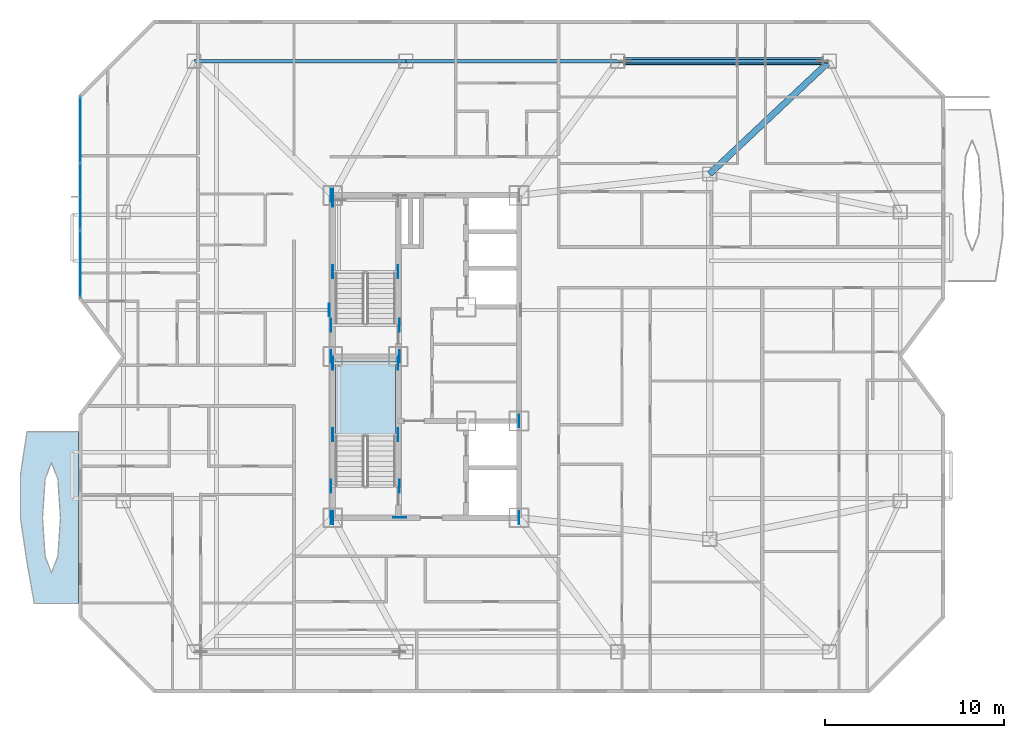
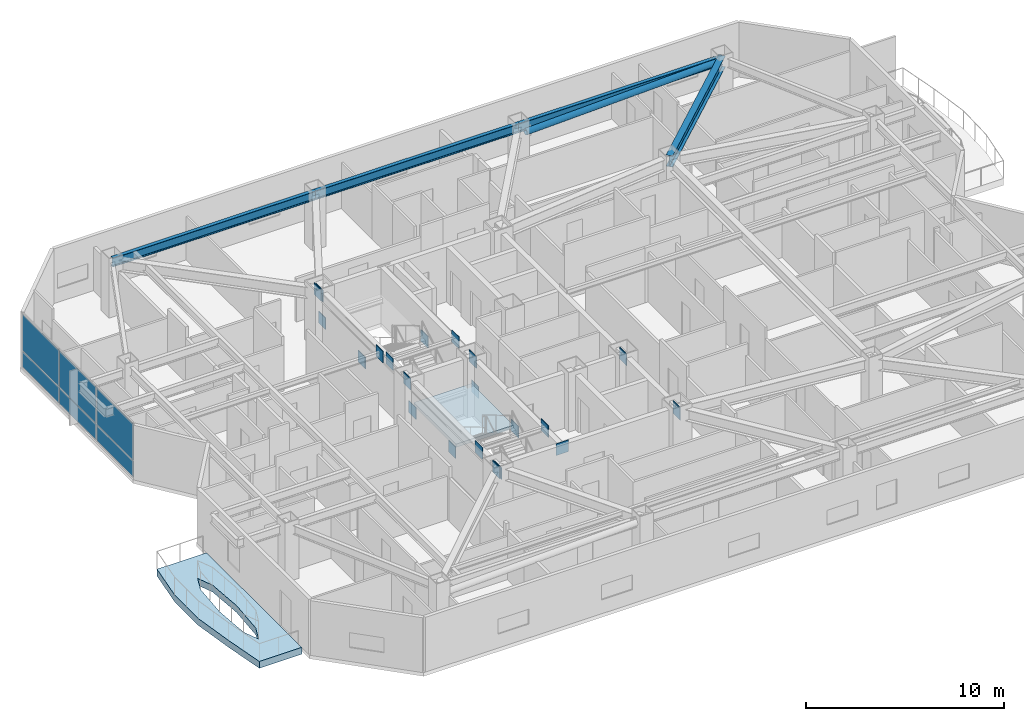
# One storey, part 7 of 20: 28 plates, 4 beams, 2 slabs, 1 member, 2 elements without a shape of their own.
"""IFC4 building model written with IfcOpenShell, lengths in metres."""

from ifc_helpers import new_model, si_unit, direction, frame, origin, origin_2d, place, context, subcontext, project, spatial, polyline, rectangle, hollow_circle, i_section, outline, extrude, material, layer, layer_set, material_profile, profile_set, type_object, element, aggregate, save


model = new_model("IFC4")

# Units and contexts
model_context = context("Model", 3, precision=1e-05, world=origin(), true_north=direction((0.0, 1.0)))
body_context = subcontext(model_context, "Body", "Model", "MODEL_VIEW")
ifc_project = project(units=[si_unit("LENGTHUNIT", "METRE"), si_unit("AREAUNIT", "SQUARE_METRE"), si_unit("VOLUMEUNIT", "CUBIC_METRE"), si_unit("PLANEANGLEUNIT", "RADIAN"), si_unit("MASSUNIT", "GRAM", prefix="KILO")], contexts=[model_context])

# Site, building, storey
site_placement = place(None, origin())
site = spatial("IfcSite", under=ifc_project, at=site_placement, CompositionType="ELEMENT")
building_placement = place(site_placement, origin())
building = spatial("IfcBuilding", under=site, at=building_placement, Name="Khamvora Tower", CompositionType="ELEMENT")
storey_placement = place(building_placement, frame((0.0, 0.0, 203.35009765625)))
storey = spatial("IfcBuildingStorey", under=building, at=storey_placement, Name="L52", CompositionType="ELEMENT", Elevation=203.35009765625)

# Beams
ifc_material_1 = material(Name="Steel S355", Category="steel")
ifc_material_profile_1 = material_profile(ifc_material_1, i_section(OverallWidth=0.35498046875, OverallDepth=0.695068359375, WebThickness=0.014892578125, FlangeThickness=0.02490234375, FilletRadius=0.01611328125, at=origin_2d()), Name="W690x217")
ifc_profile_set_1 = profile_set([ifc_material_profile_1], Name="Steel S355")
beam_type_1 = type_object("IfcBeamType", Name="BM-PG-W690x217", PredefinedType="BEAM", material=ifc_profile_set_1)
beam_1_placement = place(storey_placement, frame((50.050048828125, 38.199951171875, 3.02294921875), z_axis=(0.728513992294, 0.685030921224, 0.0), x_axis=(-0.685030921224, 0.728513992294, 0.0)))
element("IfcBeam", 1, at=beam_1_placement, inside=storey, type_object=beam_type_1, Name="L52 primary floor girder N4", PredefinedType="BEAM", context=body_context, shape_type="SweptSolid", body=[
    extrude(i_section(OverallWidth=0.35498046875, OverallDepth=0.695068359375, WebThickness=0.014892578125, FlangeThickness=0.02490234375, FilletRadius=0.01611328125, at=origin_2d()), origin(), (0.0, 0.0, 1.0), 9.19677734375),
])
ifc_material_profile_2 = material_profile(ifc_material_1, i_section(OverallWidth=0.2119140625, OverallDepth=0.5439453125, WebThickness=0.012939453125, FlangeThickness=0.02099609375, FilletRadius=0.013916015625, at=origin_2d()), Name="W530x123")
ifc_profile_set_2 = profile_set([ifc_material_profile_2], Name="Steel S355")
beam_type_2 = type_object("IfcBeamType", Name="BM-SP-W530x123", PredefinedType="SPANDREL", material=ifc_profile_set_2)
beam_2_placement = place(storey_placement, frame((56.75, 44.5, 3.097900390625), z_axis=(-1.0, 0.0, 0.0), x_axis=(0.0, -1.0, 0.0)))
element("IfcBeam", 2, at=beam_2_placement, inside=storey, type_object=beam_type_2, Name="L52 perimeter spandrel beam N4-N3", PredefinedType="SPANDREL", context=body_context, shape_type="SweptSolid", body=[
    extrude(i_section(OverallWidth=0.2119140625, OverallDepth=0.5439453125, WebThickness=0.012939453125, FlangeThickness=0.02099609375, FilletRadius=0.013916015625, at=origin_2d()), origin(), (0.0, 0.0, 1.0), 11.8330078125),
])
beam_3_placement = place(storey_placement, frame((44.9169921875, 44.5, 3.097900390625), z_axis=(-1.0, 0.0, 0.0), x_axis=(0.0, -1.0, 0.0)))
element("IfcBeam", 3, at=beam_3_placement, inside=storey, type_object=beam_type_2, Name="L52 perimeter spandrel beam N3-N2", PredefinedType="SPANDREL", context=body_context, shape_type="SweptSolid", body=[
    extrude(i_section(OverallWidth=0.2119140625, OverallDepth=0.5439453125, WebThickness=0.012939453125, FlangeThickness=0.02099609375, FilletRadius=0.013916015625, at=origin_2d()), origin(), (0.0, 0.0, 1.0), 11.833984375),
])
beam_4_placement = place(storey_placement, frame((33.0830078125, 44.5, 3.097900390625), z_axis=(-1.0, 0.0, 0.0), x_axis=(0.0, -1.0, 0.0)))
element("IfcBeam", 4, at=beam_4_placement, inside=storey, type_object=beam_type_2, Name="L52 perimeter spandrel beam N2-N1", PredefinedType="SPANDREL", context=body_context, shape_type="SweptSolid", body=[
    extrude(i_section(OverallWidth=0.2119140625, OverallDepth=0.5439453125, WebThickness=0.012939453125, FlangeThickness=0.02099609375, FilletRadius=0.013916015625, at=origin_2d()), origin(), (0.0, 0.0, 1.0), 11.8330078125),
])

# Member
ifc_material_profile_3 = material_profile(ifc_material_1, hollow_circle(Radius=0.202880859375, WallThickness=0.01611328125, at=origin_2d()), Name="CHS406x16")
ifc_profile_set_3 = profile_set([ifc_material_profile_3], Name="Steel S355")
member_type = type_object("IfcMemberType", Name="MEM-BR-CHS406", PredefinedType="BRACE", material=ifc_profile_set_3)
member_placement = place(storey_placement, frame((45.297119140625, 44.5, 2.69384765625), z_axis=(0.99936742142, 0.0, 0.035563422295), x_axis=(0.0, 1.0, 0.0)))
element("IfcMember", 5, at=member_placement, inside=storey, type_object=member_type, Name="L52 perimeter wind brace 2", PredefinedType="BRACE", context=body_context, shape_type="SweptSolid", body=[
    extrude(hollow_circle(Radius=0.202880859375, WallThickness=0.01611328125, at=origin_2d()), origin(), (0.0, 0.0, 1.0), 11.080078125),
])

# Curtain wall, plates
ifc_material_2 = material(Name="Anodised Aluminium 6063-T6", Category="aluminium")
curtain_wall_type = type_object("IfcCurtainWallType", Name="CW-SYS-04", PredefinedType="NOTDEFINED", material=ifc_material_2)
curtain_wall_placement = place(storey_placement, origin())
curtain_wall = element("IfcCurtainWall", 6, at=curtain_wall_placement, inside=storey, type_object=curtain_wall_type, Name="L52 stick curtain wall 05.1", PredefinedType="NOTDEFINED")
ifc_material_3 = material(Name="Low-E Laminated Double Glazing", Category="glass")
ifc_layer_1 = layer(ifc_material_3, 0.028076171875)
ifc_layer_set_1 = layer_set([ifc_layer_1], Name="Low-E Laminated Double Glazing")
plate_type_1 = type_object("IfcPlateType", Name="CW-SYS-04-PNL", PredefinedType="CURTAIN_PANEL", material=ifc_layer_set_1)
plate_1_placement = place(storey_placement, frame((14.89990234375, 33.179443359375, 0.06494140625), z_axis=(0.0, 0.0, 1.0), x_axis=(0.0, 1.0, 0.0)))
plate_1 = element("IfcPlate", 7, at=plate_1_placement, type_object=plate_type_1, Name="CW-04 panel 1.1", PredefinedType="CURTAIN_PANEL", context=body_context, shape_type="SweptSolid", body=[
    extrude(rectangle(XDim=3.660888671875, YDim=0.028076171875, at=origin_2d()), origin(), (0.0, 0.0, 1.0), 0.952392578125),
])
plate_2_placement = place(storey_placement, frame((14.89990234375, 33.179443359375, 1.08251953125), z_axis=(0.0, 0.0, 1.0), x_axis=(0.0, 1.0, 0.0)))
plate_2 = element("IfcPlate", 8, at=plate_2_placement, type_object=plate_type_1, Name="CW-04 panel 1.2", PredefinedType="CURTAIN_PANEL", context=body_context, shape_type="SweptSolid", body=[
    extrude(rectangle(XDim=3.660888671875, YDim=0.028076171875, at=origin_2d()), origin(), (0.0, 0.0, 1.0), 2.222412109375),
])
plate_3_placement = place(storey_placement, frame((14.89990234375, 36.92138671875, 0.06494140625), z_axis=(0.0, 0.0, 1.0), x_axis=(0.0, 1.0, 0.0)))
plate_3 = element("IfcPlate", 9, at=plate_3_placement, type_object=plate_type_1, Name="CW-04 panel 2.1", PredefinedType="CURTAIN_PANEL", context=body_context, shape_type="SweptSolid", body=[
    extrude(rectangle(XDim=3.693359375, YDim=0.028076171875, at=origin_2d()), origin(), (0.0, 0.0, 1.0), 0.952392578125),
])
plate_4_placement = place(storey_placement, frame((14.89990234375, 36.92138671875, 1.08251953125), z_axis=(0.0, 0.0, 1.0), x_axis=(0.0, 1.0, 0.0)))
plate_4 = element("IfcPlate", 10, at=plate_4_placement, type_object=plate_type_1, Name="CW-04 panel 2.2", PredefinedType="CURTAIN_PANEL", context=body_context, shape_type="SweptSolid", body=[
    extrude(rectangle(XDim=3.693359375, YDim=0.028076171875, at=origin_2d()), origin(), (0.0, 0.0, 1.0), 2.222412109375),
])
plate_5_placement = place(storey_placement, frame((14.89990234375, 40.66357421875, 0.06494140625), z_axis=(0.0, 0.0, 1.0), x_axis=(0.0, 1.0, 0.0)))
plate_5 = element("IfcPlate", 11, at=plate_5_placement, type_object=plate_type_1, Name="CW-04 panel 3.1", PredefinedType="CURTAIN_PANEL", context=body_context, shape_type="SweptSolid", body=[
    extrude(rectangle(XDim=3.660888671875, YDim=0.028076171875, at=origin_2d()), origin(), (0.0, 0.0, 1.0), 0.952392578125),
])
plate_6_placement = place(storey_placement, frame((14.89990234375, 40.66357421875, 1.08251953125), z_axis=(0.0, 0.0, 1.0), x_axis=(0.0, 1.0, 0.0)))
plate_6 = element("IfcPlate", 12, at=plate_6_placement, type_object=plate_type_1, Name="CW-04 panel 3.2", PredefinedType="CURTAIN_PANEL", context=body_context, shape_type="SweptSolid", body=[
    extrude(rectangle(XDim=3.660888671875, YDim=0.028076171875, at=origin_2d()), origin(), (0.0, 0.0, 1.0), 2.222412109375),
])
aggregate(curtain_wall, [plate_1, plate_2, plate_3, plate_4, plate_5, plate_6])

# Plates
ifc_material_4 = material(Name="Steel S460", Category="steel")
ifc_layer_2 = layer(ifc_material_4, 0.034912109375)
ifc_layer_set_2 = layer_set([ifc_layer_2], Name="Steel S460")
plate_type_2 = type_object("IfcPlateType", Name="PL-EMB-35", PredefinedType="SHEET", material=ifc_layer_set_2)
for number, where, z_axis, x_axis, name in (
    (13, (29.0, 23.635009765625, 1.1337890625), (0.0, 0.0, 1.0), (1.0, 0.0, 0.0), "L52 core shear wall cast-in embed plate 1506"),
    (14, (32.64990234375, 23.635009765625, 1.1337890625), (0.0, 0.0, 1.0), (1.0, 0.0, 0.0), "L52 core shear wall cast-in embed plate 1507"),
    (15, (29.0, 27.6298828125, 1.1337890625), (0.0, 0.0, 1.0), (1.0, 0.0, 0.0), "L52 core shear wall cast-in embed plate 1508"),
    (16, (32.64990234375, 27.6298828125, 1.1337890625), (0.0, 0.0, 1.0), (1.0, 0.0, 0.0), "L52 core shear wall cast-in embed plate 1509"),
    (17, (29.0, 32.735107421875, 1.1337890625), (0.0, 0.0, 1.0), (1.0, 0.0, 0.0), "L52 core shear wall cast-in embed plate 1510"),
    (18, (32.64990234375, 32.735107421875, 1.1337890625), (0.0, 0.0, 1.0), (1.0, 0.0, 0.0), "L52 core shear wall cast-in embed plate 1511"),
    (19, (29.0, 36.72998046875, 1.1337890625), (0.0, 0.0, 1.0), (1.0, 0.0, 0.0), "L52 core shear wall cast-in embed plate 1512"),
    (20, (29.0, 19.0, 2.6630859375), (0.0, 0.0, 1.0), (1.0, 0.0, 0.0), "L52 core shear wall cast-in embed plate 1515"),
    (21, (39.39990234375, 19.0, 2.6630859375), (0.0, 0.0, 1.0), (1.0, 0.0, 0.0), "L52 core shear wall cast-in embed plate 1516"),
    (22, (29.0, 37.0, 2.6630859375), (0.0, 0.0, 1.0), (1.0, 0.0, 0.0), "L52 core shear wall cast-in embed plate 1517"),
    (23, (28.89990234375, 19.0, 2.74267578125), (0.0, 0.0, 1.0), (1.0, 0.0, 0.0), "L52 core shear wall cast-in embed plate 1519"),
    (24, (28.89990234375, 28.0, 2.74267578125), (0.0, 0.0, 1.0), (1.0, 0.0, 0.0), "L52 core shear wall cast-in embed plate 1520"),
    (25, (28.89990234375, 37.0, 2.74267578125), (0.0, 0.0, 1.0), (1.0, 0.0, 0.0), "L52 core shear wall cast-in embed plate 1521"),
):
    element("IfcPlate", number, at=place(storey_placement, frame(where, z_axis=z_axis, x_axis=x_axis)), inside=storey, type_object=plate_type_2, Name=name, PredefinedType="SHEET", context=body_context, shape_type="SweptSolid", body=[
        extrude(rectangle(XDim=0.034912109375, YDim=0.719970703125, at=origin_2d()), origin(), (0.0, 0.0, 1.0), 0.719970703125),
    ])
plate_7_placement = place(storey_placement, frame((32.72998046875, 19.0, 2.74267578125), z_axis=(0.0, 0.0, 1.0), x_axis=(1.0, 0.0, 0.0)))
element("IfcPlate", 26, at=plate_7_placement, inside=storey, type_object=plate_type_2, Name="L52 core shear wall cast-in embed plate 1522", PredefinedType="SHEET", context=body_context, shape_type="SweptSolid", body=[
    extrude(rectangle(XDim=0.719970703125, YDim=0.034912109375, at=origin_2d()), origin(), (0.0, 0.0, 1.0), 0.719970703125),
])
for number, where, z_axis, x_axis, name in (
    (27, (32.72998046875, 28.0, 2.74267578125), (0.0, 0.0, 1.0), (1.0, 0.0, 0.0), "L52 core shear wall cast-in embed plate 1523"),
    (28, (39.39990234375, 19.0, 2.74267578125), (0.0, 0.0, 1.0), (1.0, 0.0, 0.0), "L52 core shear wall cast-in embed plate 1525"),
    (29, (39.39990234375, 24.39990234375, 2.74267578125), (0.0, 0.0, 1.0), (1.0, 0.0, 0.0), "L52 core shear wall cast-in embed plate 1526"),
    (30, (28.89990234375, 20.75, 2.8837890625), (0.0, 0.0, 1.0), (1.0, 0.0, 0.0), "L52 core shear wall cast-in embed plate 1528"),
    (31, (32.72998046875, 20.75, 2.8837890625), (0.0, 0.0, 1.0), (1.0, 0.0, 0.0), "L52 core shear wall cast-in embed plate 1529"),
    (32, (28.89990234375, 29.75, 2.8837890625), (0.0, 0.0, 1.0), (1.0, 0.0, 0.0), "L52 core shear wall cast-in embed plate 1530"),
    (33, (32.72998046875, 29.75, 2.8837890625), (0.0, 0.0, 1.0), (1.0, 0.0, 0.0), "L52 core shear wall cast-in embed plate 1531"),
    (34, (28.800048828125, 30.60009765625, 2.85400390625), (0.0, 0.0, 1.0), (1.0, 0.0, 0.0), "L52 core shear wall cast-in embed plate 1532"),
):
    element("IfcPlate", number, at=place(storey_placement, frame(where, z_axis=z_axis, x_axis=x_axis)), inside=storey, type_object=plate_type_2, Name=name, PredefinedType="SHEET", context=body_context, shape_type="SweptSolid", body=[
        extrude(rectangle(XDim=0.034912109375, YDim=0.719970703125, at=origin_2d()), origin(), (0.0, 0.0, 1.0), 0.719970703125),
    ])

# Slab
ifc_material_5 = material(Name="Concrete C40/50", Category="concrete")
ifc_layer_3 = layer(ifc_material_5, 0.419921875)
ifc_layer_set_3 = layer_set([ifc_layer_3], Name="Concrete C40/50")
slab_type_1 = type_object("IfcSlabType", Name="SLB-GRD-420", PredefinedType="FLOOR", material=ifc_layer_set_3)
slab_1_placement = place(storey_placement, frame((0.0, 0.0, -0.420166015625)))
element("IfcSlab", 35, at=slab_1_placement, inside=storey, type_object=slab_type_1, Name="L52 external lens gallery slab WL1", PredefinedType="FLOOR", context=body_context, shape_type="SweptSolid", body=[
    extrude(outline(polyline([(14.800048828125, 14.199951171875), (14.800048828125, 23.800048828125), (11.91796875, 23.800048828125), (11.555908203125, 21.39990234375), (11.550048828125, 19.0), (11.904052734375, 16.60009765625), (12.326904296875, 14.199951171875), (14.800048828125, 14.199951171875)]), holes=[polyline([(13.7890625, 19.0), (13.64111328125, 21.172119140625), (13.284912109375, 22.072021484375), (12.928955078125, 21.172119140625), (12.781005859375, 19.0), (12.928955078125, 16.827880859375), (13.284912109375, 15.927978515625), (13.64111328125, 16.827880859375), (13.7890625, 19.0)])]), origin(), (0.0, 0.0, 1.0), 0.420166015625),
])

# Stair, slab
stair_type = type_object("IfcStairType", Name="STR-ST-01", PredefinedType="HALF_TURN_STAIR", material=ifc_material_5)
stair_placement = place(storey_placement, origin())
stair = element("IfcStair", 36, at=stair_placement, inside=storey, type_object=stair_type, Name="L52 South Tower Exit Stair ST-01", PredefinedType="HALF_TURN_STAIR")
ifc_layer_4 = layer(ifc_material_5, 0.199951171875)
ifc_layer_set_4 = layer_set([ifc_layer_4], Name="Concrete C40/50")
slab_type_2 = type_object("IfcSlabType", Name="SLB-LND-200", PredefinedType="LANDING", material=ifc_layer_set_4)
slab_2_placement = place(storey_placement, frame((0.0, 0.0, 1.625)))
slab_2 = element("IfcSlab", 37, at=slab_2_placement, type_object=slab_type_2, Name="ST-01 landing 1", PredefinedType="LANDING", context=body_context, shape_type="SweptSolid", body=[
    extrude(outline(polyline([(32.5, 23.514892578125), (32.5, 27.75), (29.14990234375, 27.75), (29.14990234375, 23.514892578125), (32.5, 23.514892578125)])), origin(), (0.0, 0.0, 1.0), 0.199951171875),
])
aggregate(stair, [slab_2])

save(model, "model.ifc")
